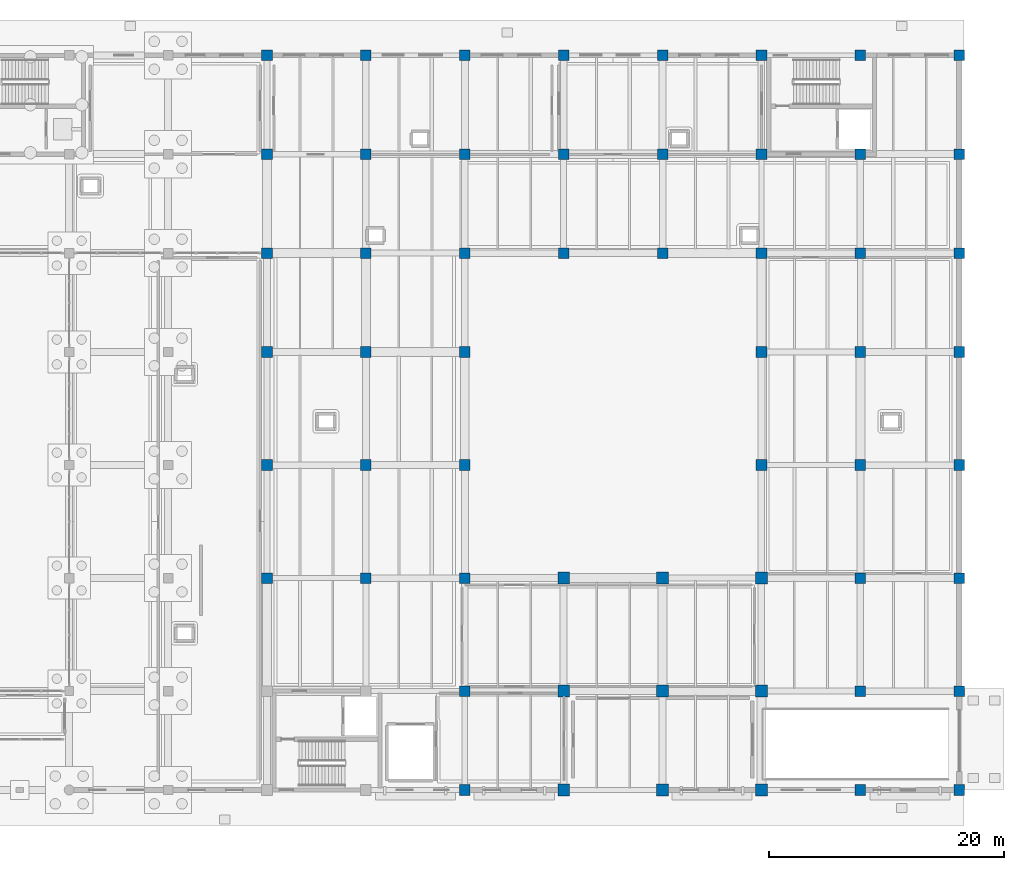
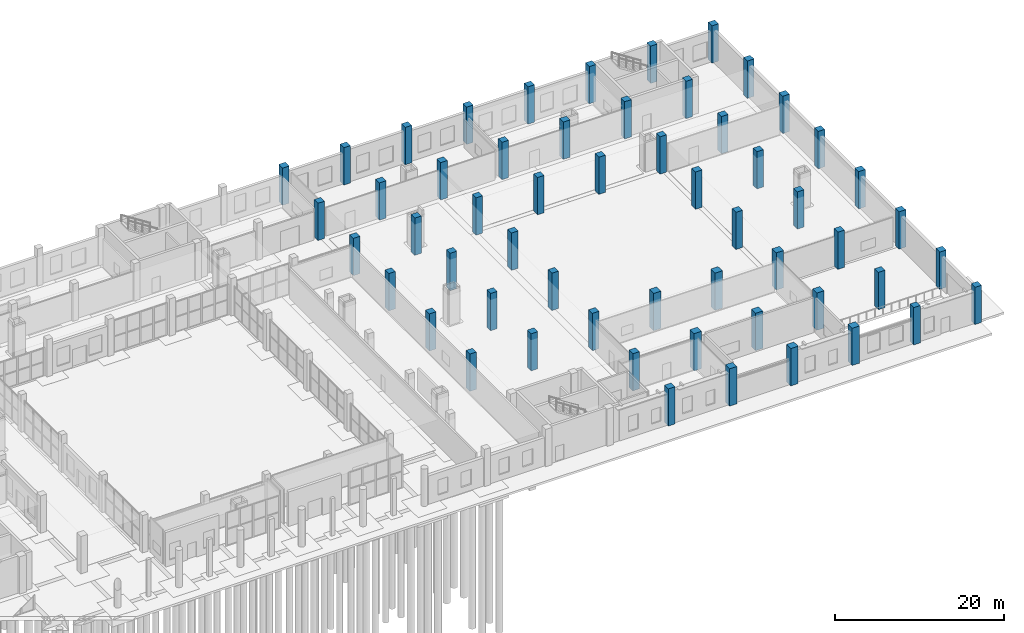
# One storey, part 9 of 65: 56 columns.
"""IFC4 building model written with IfcOpenShell, lengths in metres."""

from ifc_helpers import new_model, si_unit, direction, frame, origin, origin_2d, place, context, subcontext, project, spatial, rectangle, extrude, material, material_profile, profile_set, type_object, element, save


model = new_model("IFC4")

# Units and contexts
model_context = context("Model", 3, precision=1e-05, world=origin(), true_north=direction((0.0, 1.0)))
body_context = subcontext(model_context, "Body", "Model", "MODEL_VIEW")
ifc_project = project(units=[si_unit("LENGTHUNIT", "METRE"), si_unit("AREAUNIT", "SQUARE_METRE"), si_unit("VOLUMEUNIT", "CUBIC_METRE"), si_unit("PLANEANGLEUNIT", "RADIAN"), si_unit("MASSUNIT", "GRAM", prefix="KILO")], contexts=[model_context])

# Site, building, storey
site_placement = place(None, origin())
site = spatial("IfcSite", under=ifc_project, at=site_placement, CompositionType="ELEMENT")
building_placement = place(site_placement, origin())
building = spatial("IfcBuilding", under=site, at=building_placement, Name="Zulmaris Art Gallery", CompositionType="ELEMENT")
storey_placement = place(building_placement, origin())
storey = spatial("IfcBuildingStorey", under=building, at=storey_placement, Name="L00", CompositionType="ELEMENT", Elevation=0.0)

# Columns
ifc_material = material(Name="Concrete C50/60", Category="concrete")
ifc_material_profile_1 = material_profile(ifc_material, rectangle(XDim=1.0, YDim=1.0, at=origin_2d()), Name="RC 1000x1000")
ifc_profile_set_1 = profile_set([ifc_material_profile_1], Name="Concrete C50/60")
column_type_1 = type_object("IfcColumnType", Name="COL-RC-1000x1000", PredefinedType="COLUMN", material=ifc_profile_set_1)
for number, where, z_axis, x_axis, name in (
    (1, (166.800048828125, 13.199951171875, 0.0), (0.0, 0.0, 1.0), (1.0, 0.0, 0.0), "L00 structural column (166.8, 13.2)"),
    (2, (166.800048828125, 21.60009765625, 0.0), (0.0, 0.0, 1.0), (1.0, 0.0, 0.0), "L00 structural column (166.8, 21.6)"),
    (3, (166.800048828125, 31.199951171875, 0.0), (0.0, 0.0, 1.0), (1.0, 0.0, 0.0), "L00 structural column (166.8, 31.2)"),
    (4, (175.199951171875, 13.199951171875, 0.0), (0.0, 0.0, 1.0), (1.0, 0.0, 0.0), "L00 structural column (175.2, 13.2)"),
    (5, (175.199951171875, 21.60009765625, 0.0), (0.0, 0.0, 1.0), (1.0, 0.0, 0.0), "L00 structural column (175.2, 21.6)"),
    (6, (175.199951171875, 31.199951171875, 0.0), (0.0, 0.0, 1.0), (1.0, 0.0, 0.0), "L00 structural column (175.2, 31.2)"),
    (7, (183.60009765625, 13.199951171875, 0.0), (0.0, 0.0, 1.0), (1.0, 0.0, 0.0), "L00 structural column (183.6, 13.2)"),
    (8, (183.60009765625, 21.60009765625, 0.0), (0.0, 0.0, 1.0), (1.0, 0.0, 0.0), "L00 structural column (183.6, 21.6)"),
    (9, (183.60009765625, 31.199951171875, 0.0), (0.0, 0.0, 1.0), (1.0, 0.0, 0.0), "L00 structural column (183.6, 31.2)"),
):
    element("IfcColumn", number, at=place(storey_placement, frame(where, z_axis=z_axis, x_axis=x_axis)), inside=storey, type_object=column_type_1, Name=name, PredefinedType="COLUMN", context=body_context, shape_type="SweptSolid", body=[
        extrude(rectangle(XDim=1.0, YDim=1.0, at=origin_2d()), origin(), (0.0, 0.0, 1.0), 5.39990234375),
    ])
ifc_material_profile_2 = material_profile(ifc_material, rectangle(XDim=0.89990234375, YDim=0.89990234375, at=origin_2d()), Name="RC 900x900")
ifc_profile_set_2 = profile_set([ifc_material_profile_2], Name="Concrete C50/60")
column_type_2 = type_object("IfcColumnType", Name="COL-RC-900x900", PredefinedType="COLUMN", material=ifc_profile_set_2)
for number, where, z_axis, x_axis, name in (
    (10, (141.60009765625, 31.199951171875, 0.0), (0.0, 0.0, 1.0), (1.0, 0.0, 0.0), "L00 structural column (141.6, 31.2)"),
    (11, (141.60009765625, 40.800048828125, 0.0), (0.0, 0.0, 1.0), (1.0, 0.0, 0.0), "L00 structural column (141.6, 40.8)"),
    (12, (141.60009765625, 50.39990234375, 0.0), (0.0, 0.0, 1.0), (1.0, 0.0, 0.0), "L00 structural column (141.6, 50.4)"),
    (13, (141.60009765625, 58.800048828125, 0.0), (0.0, 0.0, 1.0), (1.0, 0.0, 0.0), "L00 structural column (141.6, 58.8)"),
    (14, (141.60009765625, 67.199951171875, 0.0), (0.0, 0.0, 1.0), (1.0, 0.0, 0.0), "L00 structural column (141.6, 67.2)"),
    (15, (141.60009765625, 75.60009765625, 0.0), (0.0, 0.0, 1.0), (1.0, 0.0, 0.0), "L00 structural column (141.6, 75.6)"),
    (16, (150.0, 31.199951171875, 0.0), (0.0, 0.0, 1.0), (1.0, 0.0, 0.0), "L00 structural column (150.0, 31.2)"),
    (17, (150.0, 40.800048828125, 0.0), (0.0, 0.0, 1.0), (1.0, 0.0, 0.0), "L00 structural column (150.0, 40.8)"),
    (18, (150.0, 50.39990234375, 0.0), (0.0, 0.0, 1.0), (1.0, 0.0, 0.0), "L00 structural column (150.0, 50.4)"),
    (19, (150.0, 58.800048828125, 0.0), (0.0, 0.0, 1.0), (1.0, 0.0, 0.0), "L00 structural column (150.0, 58.8)"),
    (20, (150.0, 67.199951171875, 0.0), (0.0, 0.0, 1.0), (1.0, 0.0, 0.0), "L00 structural column (150.0, 67.2)"),
    (21, (150.0, 75.60009765625, 0.0), (0.0, 0.0, 1.0), (1.0, 0.0, 0.0), "L00 structural column (150.0, 75.6)"),
    (22, (158.39990234375, 13.199951171875, 0.0), (0.0, 0.0, 1.0), (1.0, 0.0, 0.0), "L00 structural column (158.4, 13.2)"),
    (23, (158.39990234375, 21.60009765625, 0.0), (0.0, 0.0, 1.0), (1.0, 0.0, 0.0), "L00 structural column (158.4, 21.6)"),
    (24, (158.39990234375, 31.199951171875, 0.0), (0.0, 0.0, 1.0), (1.0, 0.0, 0.0), "L00 structural column (158.4, 31.2)"),
    (25, (158.39990234375, 40.800048828125, 0.0), (0.0, 0.0, 1.0), (1.0, 0.0, 0.0), "L00 structural column (158.4, 40.8)"),
    (26, (158.39990234375, 50.39990234375, 0.0), (0.0, 0.0, 1.0), (1.0, 0.0, 0.0), "L00 structural column (158.4, 50.4)"),
    (27, (158.39990234375, 58.800048828125, 0.0), (0.0, 0.0, 1.0), (1.0, 0.0, 0.0), "L00 structural column (158.4, 58.8)"),
    (28, (158.39990234375, 67.199951171875, 0.0), (0.0, 0.0, 1.0), (1.0, 0.0, 0.0), "L00 structural column (158.4, 67.2)"),
    (29, (158.39990234375, 75.60009765625, 0.0), (0.0, 0.0, 1.0), (1.0, 0.0, 0.0), "L00 structural column (158.4, 75.6)"),
    (30, (166.800048828125, 58.800048828125, 0.0), (0.0, 0.0, 1.0), (1.0, 0.0, 0.0), "L00 structural column (166.8, 58.8)"),
    (31, (166.800048828125, 67.199951171875, 0.0), (0.0, 0.0, 1.0), (1.0, 0.0, 0.0), "L00 structural column (166.8, 67.2)"),
    (32, (166.800048828125, 75.60009765625, 0.0), (0.0, 0.0, 1.0), (1.0, 0.0, 0.0), "L00 structural column (166.8, 75.6)"),
    (33, (175.199951171875, 58.800048828125, 0.0), (0.0, 0.0, 1.0), (1.0, 0.0, 0.0), "L00 structural column (175.2, 58.8)"),
    (34, (175.199951171875, 67.199951171875, 0.0), (0.0, 0.0, 1.0), (1.0, 0.0, 0.0), "L00 structural column (175.2, 67.2)"),
    (35, (175.199951171875, 75.60009765625, 0.0), (0.0, 0.0, 1.0), (1.0, 0.0, 0.0), "L00 structural column (175.2, 75.6)"),
    (36, (183.60009765625, 40.800048828125, 0.0), (0.0, 0.0, 1.0), (1.0, 0.0, 0.0), "L00 structural column (183.6, 40.8)"),
    (37, (183.60009765625, 50.39990234375, 0.0), (0.0, 0.0, 1.0), (1.0, 0.0, 0.0), "L00 structural column (183.6, 50.4)"),
    (38, (183.60009765625, 58.800048828125, 0.0), (0.0, 0.0, 1.0), (1.0, 0.0, 0.0), "L00 structural column (183.6, 58.8)"),
    (39, (183.60009765625, 67.199951171875, 0.0), (0.0, 0.0, 1.0), (1.0, 0.0, 0.0), "L00 structural column (183.6, 67.2)"),
    (40, (183.60009765625, 75.60009765625, 0.0), (0.0, 0.0, 1.0), (1.0, 0.0, 0.0), "L00 structural column (183.6, 75.6)"),
    (41, (192.0, 13.199951171875, 0.0), (0.0, 0.0, 1.0), (1.0, 0.0, 0.0), "L00 structural column (192.0, 13.2)"),
    (42, (192.0, 21.60009765625, 0.0), (0.0, 0.0, 1.0), (1.0, 0.0, 0.0), "L00 structural column (192.0, 21.6)"),
    (43, (192.0, 31.199951171875, 0.0), (0.0, 0.0, 1.0), (1.0, 0.0, 0.0), "L00 structural column (192.0, 31.2)"),
    (44, (192.0, 40.800048828125, 0.0), (0.0, 0.0, 1.0), (1.0, 0.0, 0.0), "L00 structural column (192.0, 40.8)"),
    (45, (192.0, 50.39990234375, 0.0), (0.0, 0.0, 1.0), (1.0, 0.0, 0.0), "L00 structural column (192.0, 50.4)"),
    (46, (192.0, 58.800048828125, 0.0), (0.0, 0.0, 1.0), (1.0, 0.0, 0.0), "L00 structural column (192.0, 58.8)"),
    (47, (192.0, 67.199951171875, 0.0), (0.0, 0.0, 1.0), (1.0, 0.0, 0.0), "L00 structural column (192.0, 67.2)"),
    (48, (192.0, 75.60009765625, 0.0), (0.0, 0.0, 1.0), (1.0, 0.0, 0.0), "L00 structural column (192.0, 75.6)"),
    (49, (200.39990234375, 13.199951171875, 0.0), (0.0, 0.0, 1.0), (1.0, 0.0, 0.0), "L00 structural column (200.4, 13.2)"),
    (50, (200.39990234375, 21.60009765625, 0.0), (0.0, 0.0, 1.0), (1.0, 0.0, 0.0), "L00 structural column (200.4, 21.6)"),
    (51, (200.39990234375, 31.199951171875, 0.0), (0.0, 0.0, 1.0), (1.0, 0.0, 0.0), "L00 structural column (200.4, 31.2)"),
    (52, (200.39990234375, 40.800048828125, 0.0), (0.0, 0.0, 1.0), (1.0, 0.0, 0.0), "L00 structural column (200.4, 40.8)"),
    (53, (200.39990234375, 50.39990234375, 0.0), (0.0, 0.0, 1.0), (1.0, 0.0, 0.0), "L00 structural column (200.4, 50.4)"),
    (54, (200.39990234375, 58.800048828125, 0.0), (0.0, 0.0, 1.0), (1.0, 0.0, 0.0), "L00 structural column (200.4, 58.8)"),
    (55, (200.39990234375, 67.199951171875, 0.0), (0.0, 0.0, 1.0), (1.0, 0.0, 0.0), "L00 structural column (200.4, 67.2)"),
    (56, (200.39990234375, 75.60009765625, 0.0), (0.0, 0.0, 1.0), (1.0, 0.0, 0.0), "L00 structural column (200.4, 75.6)"),
):
    element("IfcColumn", number, at=place(storey_placement, frame(where, z_axis=z_axis, x_axis=x_axis)), inside=storey, type_object=column_type_2, Name=name, PredefinedType="COLUMN", context=body_context, shape_type="SweptSolid", body=[
        extrude(rectangle(XDim=0.89990234375, YDim=0.89990234375, at=origin_2d()), origin(), (0.0, 0.0, 1.0), 5.39990234375),
    ])

save(model, "model.ifc")
